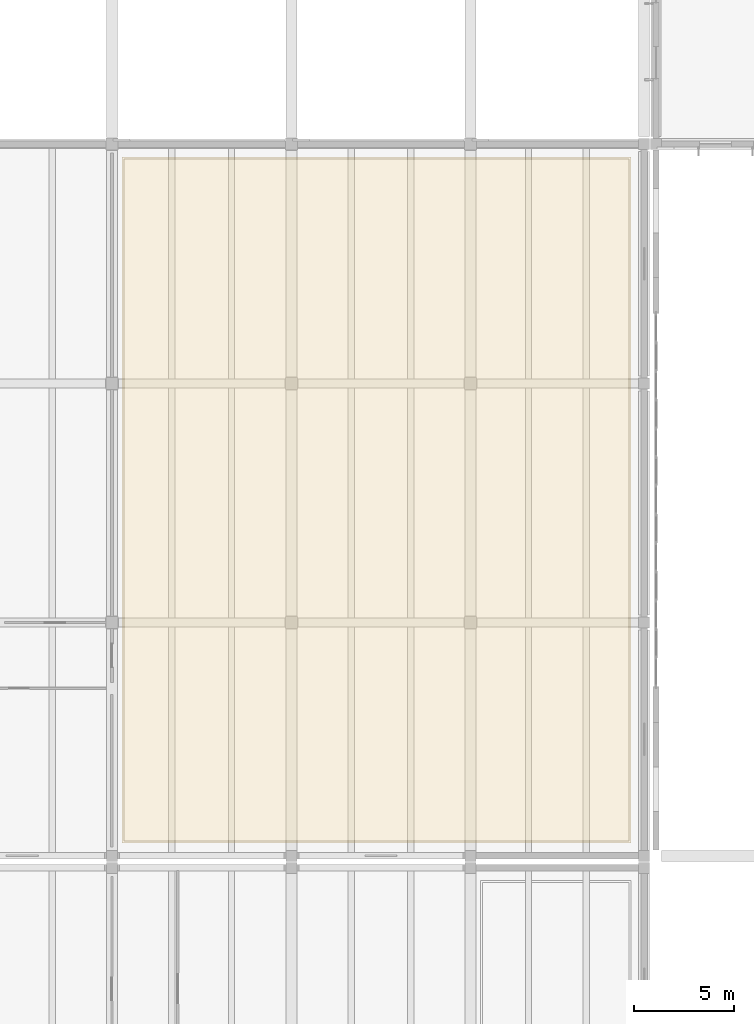
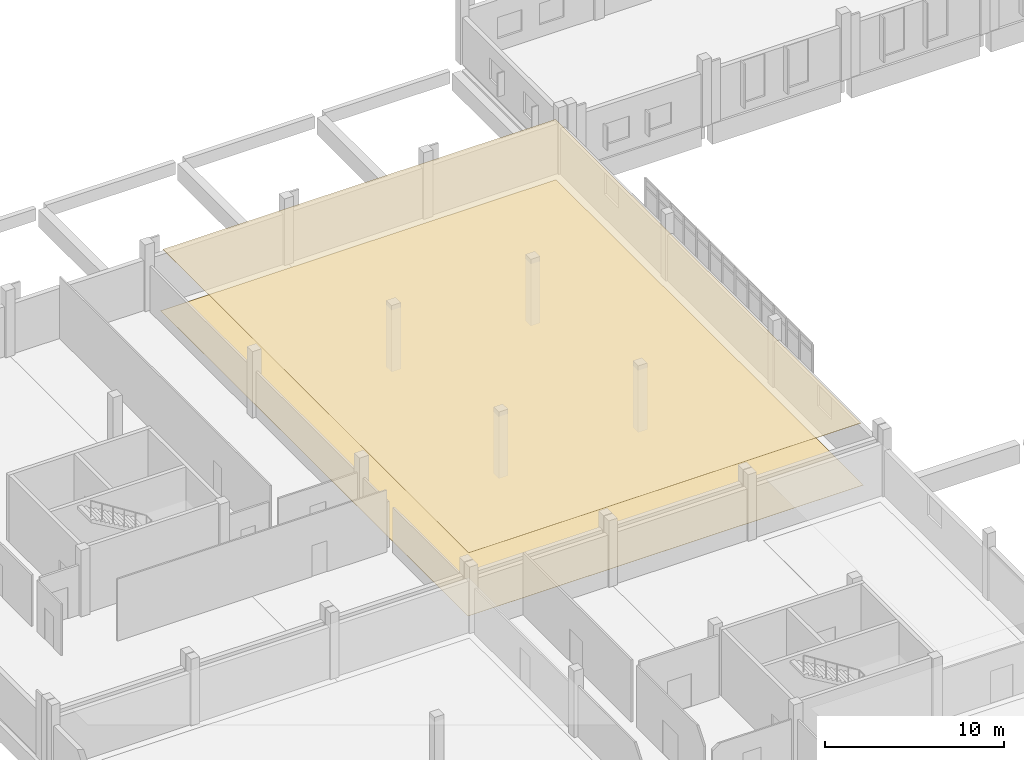
# One storey, part 55 of 63: 2 coverings.
"""IFC4 building model written with IfcOpenShell, lengths in metres."""

from ifc_helpers import new_model, si_unit, direction, frame, origin, place, context, subcontext, project, spatial, polyline, outline, extrude, material, layer, layer_set, type_object, element, save


model = new_model("IFC4")

# Units and contexts
model_context = context("Model", 3, precision=1e-05, world=origin(), true_north=direction((0.0, 1.0)))
body_context = subcontext(model_context, "Body", "Model", "MODEL_VIEW")
ifc_project = project(units=[si_unit("LENGTHUNIT", "METRE"), si_unit("AREAUNIT", "SQUARE_METRE"), si_unit("VOLUMEUNIT", "CUBIC_METRE"), si_unit("PLANEANGLEUNIT", "RADIAN"), si_unit("MASSUNIT", "GRAM", prefix="KILO")], contexts=[model_context])

# Site, building, storey
site_placement = place(None, origin())
site = spatial("IfcSite", under=ifc_project, at=site_placement, CompositionType="ELEMENT")
building_placement = place(site_placement, origin())
building = spatial("IfcBuilding", under=site, at=building_placement, Name="Zacnel Wholesale Market", CompositionType="ELEMENT")
storey_placement = place(building_placement, frame((0.0, 0.0, 11.199951171875)))
storey = spatial("IfcBuildingStorey", under=building, at=storey_placement, Name="L03", CompositionType="ELEMENT", Elevation=11.199951171875)

# Coverings
ifc_material_1 = material(Name="Micro-perforated acoustic gypsum ceiling")
ifc_layer_1 = layer(ifc_material_1, 0.02001953125)
ifc_layer_set_1 = layer_set([ifc_layer_1], Name="Micro-perforated acoustic gypsum ceiling")
covering_type_1 = type_object("IfcCoveringType", Name="COV-CEIL-AC-20", PredefinedType="CEILING", material=ifc_layer_set_1)
covering_1_placement = place(storey_placement, frame((0.0, 0.0, 4.2099609375)))
element("IfcCovering", 1, at=covering_1_placement, inside=storey, type_object=covering_type_1, Name="Acoustic ceiling L03-310", PredefinedType="CEILING", context=body_context, shape_type="SweptSolid", body=[
    extrude(outline(polyline([(45.60009765625, 97.050048828125), (70.949951171875, 97.050048828125), (70.949951171875, 131.25), (45.60009765625, 131.25), (45.60009765625, 97.050048828125)])), origin(), (0.0, 0.0, 1.0), 0.02001953125),
])
ifc_material_2 = material(Name="Food-grade epoxy resin flooring")
ifc_layer_2 = layer(ifc_material_2, 0.011962890625)
ifc_layer_set_2 = layer_set([ifc_layer_2], Name="Food-grade epoxy resin flooring")
covering_type_2 = type_object("IfcCoveringType", Name="COV-FLR-EPOXY-12", PredefinedType="FLOORING", material=ifc_layer_set_2)
covering_2_placement = place(storey_placement, origin())
element("IfcCovering", 2, at=covering_2_placement, inside=storey, type_object=covering_type_2, Name="Hygienic epoxy floor finish L03-310", PredefinedType="FLOORING", context=body_context, shape_type="SweptSolid", body=[
    extrude(outline(polyline([(45.5, 96.949951171875), (71.050048828125, 96.949951171875), (71.050048828125, 131.35009765625), (45.5, 131.35009765625), (45.5, 96.949951171875)])), origin(), (0.0, 0.0, 1.0), 0.011962890625),
])

save(model, "model.ifc")
